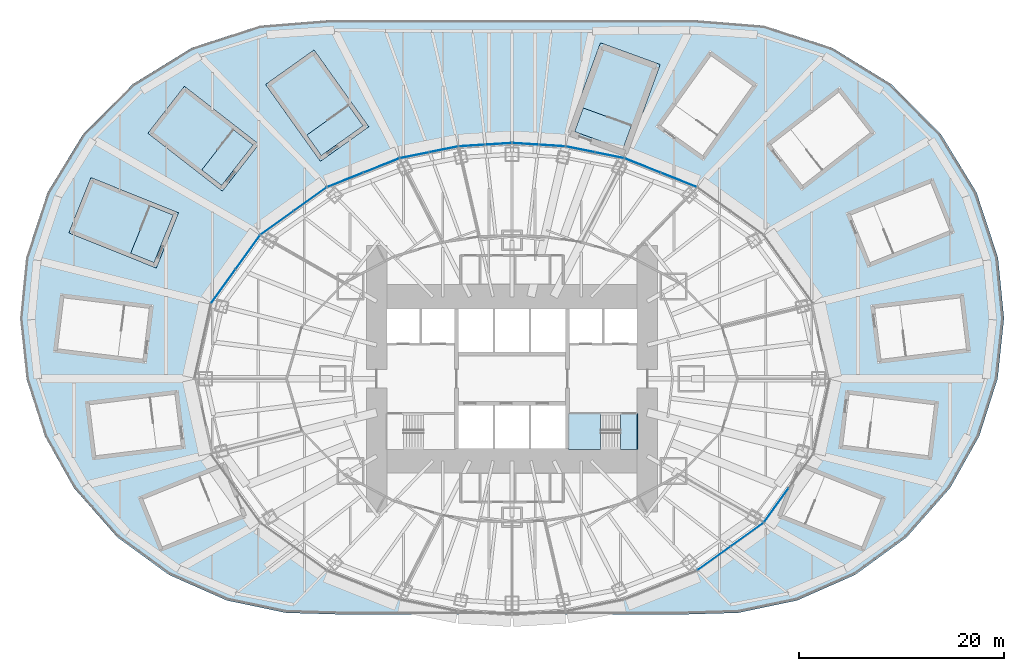
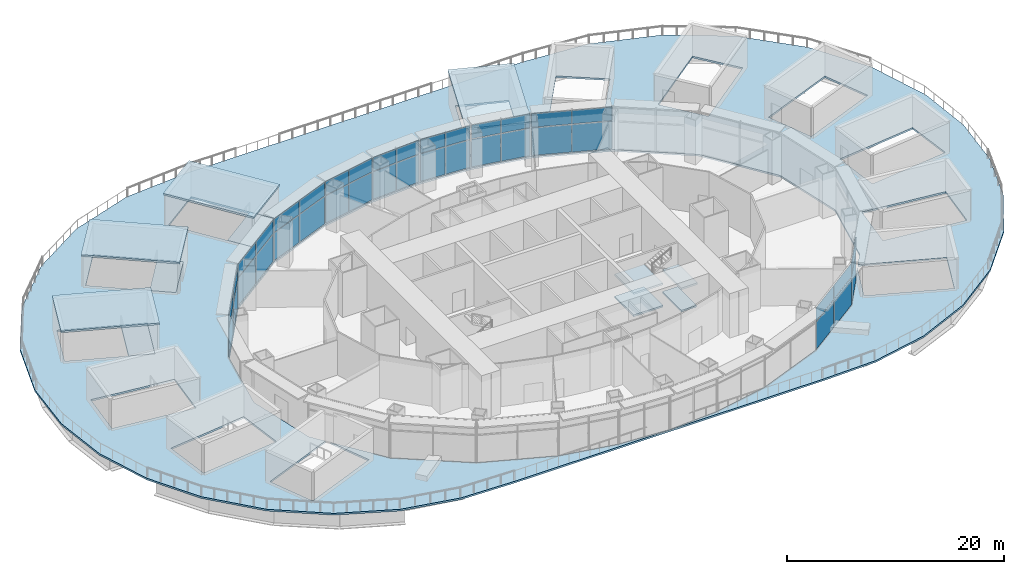
# One storey, part 14 of 25: 38 plates, 13 slabs, 11 elements without a shape of their own.
"""IFC4 building model written with IfcOpenShell, lengths in metres."""

from ifc_helpers import new_model, si_unit, direction, frame, origin, origin_2d, place, context, subcontext, project, spatial, polyline, rectangle, outline, extrude, material, layer, layer_set, type_object, element, aggregate, save


model = new_model("IFC4")

# Units and contexts
model_context = context("Model", 3, precision=1e-05, world=origin(), true_north=direction((0.0, 1.0)))
body_context = subcontext(model_context, "Body", "Model", "MODEL_VIEW")
ifc_project = project(units=[si_unit("LENGTHUNIT", "METRE"), si_unit("AREAUNIT", "SQUARE_METRE"), si_unit("VOLUMEUNIT", "CUBIC_METRE"), si_unit("PLANEANGLEUNIT", "RADIAN"), si_unit("MASSUNIT", "GRAM", prefix="KILO")], contexts=[model_context])

# Site, building, storey
site_placement = place(None, origin())
site = spatial("IfcSite", under=ifc_project, at=site_placement, CompositionType="ELEMENT")
building_placement = place(site_placement, origin())
building = spatial("IfcBuilding", under=site, at=building_placement, Name="Lantaw Convention Tower", CompositionType="ELEMENT")
storey_placement = place(building_placement, frame((0.0, 0.0, 32.0)))
storey = spatial("IfcBuildingStorey", under=building, at=storey_placement, Name="L05", CompositionType="ELEMENT", Elevation=32.0)

# Curtain wall, plates
ifc_material_1 = material(Name="Aluminium framed curtain wall", Category="aluminium")
curtain_wall_type = type_object("IfcCurtainWallType", Name="Sky lobby curtain wall L05, pale aluminium", PredefinedType="USERDEFINED", material=ifc_material_1)
curtain_wall_1_placement = place(storey_placement, origin())
curtain_wall_1 = element("IfcCurtainWall", 1, at=curtain_wall_1_placement, inside=storey, type_object=curtain_wall_type, Name="Sky lobby curtain wall L05, pale aluminium L05", ObjectType="STICK CURTAIN WALL", PredefinedType="USERDEFINED")
ifc_material_2 = material(Name="Clear insulating glass", Category="glass")
ifc_layer_1 = layer(ifc_material_2, 0.030029296875)
ifc_layer_set_1 = layer_set([ifc_layer_1], Name="CW-HL panel 30")
plate_type = type_object("IfcPlateType", Name="CW-HL panel 30", PredefinedType="CURTAIN_PANEL", material=ifc_layer_set_1)
plate_1_placement = place(storey_placement, frame((16.26416015625, 19.40771484375, 0.074951171875), z_axis=(0.0, 0.0, 1.0), x_axis=(-0.929361152748, 0.369171840425, 0.0)))
plate_1 = element("IfcPlate", 2, at=plate_1_placement, type_object=plate_type, Name="CW-HL panel 1.1", PredefinedType="CURTAIN_PANEL", context=body_context, shape_type="SweptSolid", body=[
    extrude(rectangle(XDim=3.70361328125, YDim=0.030029296875, at=origin_2d()), origin(), (0.0, 0.0, 1.0), 3.08740234375),
])
plate_2_placement = place(storey_placement, frame((16.26416015625, 19.40771484375, 3.237548828125), z_axis=(0.0, 0.0, 1.0), x_axis=(-0.929361152748, 0.369171840425, 0.0)))
plate_2 = element("IfcPlate", 3, at=plate_2_placement, type_object=plate_type, Name="CW-HL panel 1.2", PredefinedType="CURTAIN_PANEL", context=body_context, shape_type="SweptSolid", body=[
    extrude(rectangle(XDim=3.70361328125, YDim=0.030029296875, at=origin_2d()), origin(), (0.0, 0.0, 1.0), 1.53759765625),
])
plate_3_placement = place(storey_placement, frame((12.752685546875, 20.802734375, 0.074951171875), z_axis=(0.0, 0.0, 1.0), x_axis=(-0.929361152748, 0.369171840425, 0.0)))
plate_3 = element("IfcPlate", 4, at=plate_3_placement, type_object=plate_type, Name="CW-HL panel 2.1", PredefinedType="CURTAIN_PANEL", context=body_context, shape_type="SweptSolid", body=[
    extrude(rectangle(XDim=3.70361328125, YDim=0.030029296875, at=origin_2d()), origin(), (0.0, 0.0, 1.0), 3.08740234375),
])
plate_4_placement = place(storey_placement, frame((12.752685546875, 20.802734375, 3.237548828125), z_axis=(0.0, 0.0, 1.0), x_axis=(-0.929361152748, 0.369171840425, 0.0)))
plate_4 = element("IfcPlate", 5, at=plate_4_placement, type_object=plate_type, Name="CW-HL panel 2.2", PredefinedType="CURTAIN_PANEL", context=body_context, shape_type="SweptSolid", body=[
    extrude(rectangle(XDim=3.70361328125, YDim=0.030029296875, at=origin_2d()), origin(), (0.0, 0.0, 1.0), 1.53759765625),
])
aggregate(curtain_wall_1, [plate_1, plate_2, plate_3, plate_4])

curtain_wall_2_placement = place(storey_placement, origin())
curtain_wall_2 = element("IfcCurtainWall", 6, at=curtain_wall_2_placement, inside=storey, type_object=curtain_wall_type, Name="Sky lobby curtain wall L05, pale aluminium L05", ObjectType="STICK CURTAIN WALL", PredefinedType="USERDEFINED")
plate_5_placement = place(storey_placement, frame((9.511474609375, 21.806640625, 0.074951171875), z_axis=(0.0, 0.0, 1.0), x_axis=(-0.980244604501, 0.197789067813, 0.0)))
plate_5 = element("IfcPlate", 7, at=plate_5_placement, type_object=plate_type, Name="CW-HL panel 1.1", PredefinedType="CURTAIN_PANEL", context=body_context, shape_type="SweptSolid", body=[
    extrude(rectangle(XDim=2.809326171875, YDim=0.030029296875, at=origin_2d()), origin(), (0.0, 0.0, 1.0), 3.08740234375),
])
plate_6_placement = place(storey_placement, frame((9.511474609375, 21.806640625, 3.237548828125), z_axis=(0.0, 0.0, 1.0), x_axis=(-0.980244604501, 0.197789067813, 0.0)))
plate_6 = element("IfcPlate", 8, at=plate_6_placement, type_object=plate_type, Name="CW-HL panel 1.2", PredefinedType="CURTAIN_PANEL", context=body_context, shape_type="SweptSolid", body=[
    extrude(rectangle(XDim=2.809326171875, YDim=0.030029296875, at=origin_2d()), origin(), (0.0, 0.0, 1.0), 1.53759765625),
])
plate_7_placement = place(storey_placement, frame((6.68408203125, 22.377197265625, 0.074951171875), z_axis=(0.0, 0.0, 1.0), x_axis=(-0.980244604501, 0.197789067813, 0.0)))
plate_7 = element("IfcPlate", 9, at=plate_7_placement, type_object=plate_type, Name="CW-HL panel 2.1", PredefinedType="CURTAIN_PANEL", context=body_context, shape_type="SweptSolid", body=[
    extrude(rectangle(XDim=2.809326171875, YDim=0.030029296875, at=origin_2d()), origin(), (0.0, 0.0, 1.0), 3.08740234375),
])
plate_8_placement = place(storey_placement, frame((6.68408203125, 22.377197265625, 3.237548828125), z_axis=(0.0, 0.0, 1.0), x_axis=(-0.980244604501, 0.197789067813, 0.0)))
plate_8 = element("IfcPlate", 10, at=plate_8_placement, type_object=plate_type, Name="CW-HL panel 2.2", PredefinedType="CURTAIN_PANEL", context=body_context, shape_type="SweptSolid", body=[
    extrude(rectangle(XDim=2.809326171875, YDim=0.030029296875, at=origin_2d()), origin(), (0.0, 0.0, 1.0), 1.53759765625),
])
aggregate(curtain_wall_2, [plate_5, plate_6, plate_7, plate_8])

curtain_wall_3_placement = place(storey_placement, origin())
curtain_wall_3 = element("IfcCurtainWall", 11, at=curtain_wall_3_placement, inside=storey, type_object=curtain_wall_type, Name="Sky lobby curtain wall L05, pale aluminium L05", ObjectType="STICK CURTAIN WALL", PredefinedType="USERDEFINED")
plate_9_placement = place(storey_placement, frame((3.906494140625, 22.753662109375, 0.074951171875), z_axis=(0.0, 0.0, 1.0), x_axis=(-0.998016153807, 0.062958373078, 0.0)))
plate_9 = element("IfcPlate", 12, at=plate_9_placement, type_object=plate_type, Name="CW-HL panel 1.1", PredefinedType="CURTAIN_PANEL", context=body_context, shape_type="SweptSolid", body=[
    extrude(rectangle(XDim=2.509521484375, YDim=0.030029296875, at=origin_2d()), origin(), (0.0, 0.0, 1.0), 3.08740234375),
])
plate_10_placement = place(storey_placement, frame((3.906494140625, 22.753662109375, 3.237548828125), z_axis=(0.0, 0.0, 1.0), x_axis=(-0.998016153807, 0.062958373078, 0.0)))
plate_10 = element("IfcPlate", 13, at=plate_10_placement, type_object=plate_type, Name="CW-HL panel 1.2", PredefinedType="CURTAIN_PANEL", context=body_context, shape_type="SweptSolid", body=[
    extrude(rectangle(XDim=2.509521484375, YDim=0.030029296875, at=origin_2d()), origin(), (0.0, 0.0, 1.0), 1.53759765625),
])
plate_11_placement = place(storey_placement, frame((1.3271484375, 22.916259765625, 0.074951171875), z_axis=(0.0, 0.0, 1.0), x_axis=(-0.998016153807, 0.062958373078, 0.0)))
plate_11 = element("IfcPlate", 14, at=plate_11_placement, type_object=plate_type, Name="CW-HL panel 2.1", PredefinedType="CURTAIN_PANEL", context=body_context, shape_type="SweptSolid", body=[
    extrude(rectangle(XDim=2.509521484375, YDim=0.030029296875, at=origin_2d()), origin(), (0.0, 0.0, 1.0), 3.08740234375),
])
plate_12_placement = place(storey_placement, frame((1.3271484375, 22.916259765625, 3.237548828125), z_axis=(0.0, 0.0, 1.0), x_axis=(-0.998016153807, 0.062958373078, 0.0)))
plate_12 = element("IfcPlate", 15, at=plate_12_placement, type_object=plate_type, Name="CW-HL panel 2.2", PredefinedType="CURTAIN_PANEL", context=body_context, shape_type="SweptSolid", body=[
    extrude(rectangle(XDim=2.509521484375, YDim=0.030029296875, at=origin_2d()), origin(), (0.0, 0.0, 1.0), 1.53759765625),
])
aggregate(curtain_wall_3, [plate_9, plate_10, plate_11, plate_12])

curtain_wall_4_placement = place(storey_placement, origin())
curtain_wall_4 = element("IfcCurtainWall", 16, at=curtain_wall_4_placement, inside=storey, type_object=curtain_wall_type, Name="Sky lobby curtain wall L05, pale aluminium L05", ObjectType="STICK CURTAIN WALL", PredefinedType="USERDEFINED")
plate_13_placement = place(storey_placement, frame((-1.3271484375, 22.916259765625, 0.074951171875), z_axis=(0.0, 0.0, 1.0), x_axis=(-0.998016153807, -0.062958373078, 0.0)))
plate_13 = element("IfcPlate", 17, at=plate_13_placement, type_object=plate_type, Name="CW-HL panel 1.1", PredefinedType="CURTAIN_PANEL", context=body_context, shape_type="SweptSolid", body=[
    extrude(rectangle(XDim=2.509521484375, YDim=0.030029296875, at=origin_2d()), origin(), (0.0, 0.0, 1.0), 3.08740234375),
])
plate_14_placement = place(storey_placement, frame((-1.3271484375, 22.916259765625, 3.237548828125), z_axis=(0.0, 0.0, 1.0), x_axis=(-0.998016153807, -0.062958373078, 0.0)))
plate_14 = element("IfcPlate", 18, at=plate_14_placement, type_object=plate_type, Name="CW-HL panel 1.2", PredefinedType="CURTAIN_PANEL", context=body_context, shape_type="SweptSolid", body=[
    extrude(rectangle(XDim=2.509521484375, YDim=0.030029296875, at=origin_2d()), origin(), (0.0, 0.0, 1.0), 1.53759765625),
])
plate_15_placement = place(storey_placement, frame((-3.906494140625, 22.753662109375, 0.074951171875), z_axis=(0.0, 0.0, 1.0), x_axis=(-0.998016153807, -0.062958373078, 0.0)))
plate_15 = element("IfcPlate", 19, at=plate_15_placement, type_object=plate_type, Name="CW-HL panel 2.1", PredefinedType="CURTAIN_PANEL", context=body_context, shape_type="SweptSolid", body=[
    extrude(rectangle(XDim=2.509521484375, YDim=0.030029296875, at=origin_2d()), origin(), (0.0, 0.0, 1.0), 3.08740234375),
])
plate_16_placement = place(storey_placement, frame((-3.906494140625, 22.753662109375, 3.237548828125), z_axis=(0.0, 0.0, 1.0), x_axis=(-0.998016153807, -0.062958373078, 0.0)))
plate_16 = element("IfcPlate", 20, at=plate_16_placement, type_object=plate_type, Name="CW-HL panel 2.2", PredefinedType="CURTAIN_PANEL", context=body_context, shape_type="SweptSolid", body=[
    extrude(rectangle(XDim=2.509521484375, YDim=0.030029296875, at=origin_2d()), origin(), (0.0, 0.0, 1.0), 1.53759765625),
])
aggregate(curtain_wall_4, [plate_13, plate_14, plate_15, plate_16])

curtain_wall_5_placement = place(storey_placement, origin())
curtain_wall_5 = element("IfcCurtainWall", 21, at=curtain_wall_5_placement, inside=storey, type_object=curtain_wall_type, Name="Sky lobby curtain wall L05, pale aluminium L05", ObjectType="STICK CURTAIN WALL", PredefinedType="USERDEFINED")
plate_17_placement = place(storey_placement, frame((-6.68408203125, 22.377197265625, 0.074951171875), z_axis=(0.0, 0.0, 1.0), x_axis=(-0.980244604501, -0.197789067813, 0.0)))
plate_17 = element("IfcPlate", 22, at=plate_17_placement, type_object=plate_type, Name="CW-HL panel 1.1", PredefinedType="CURTAIN_PANEL", context=body_context, shape_type="SweptSolid", body=[
    extrude(rectangle(XDim=2.809326171875, YDim=0.030029296875, at=origin_2d()), origin(), (0.0, 0.0, 1.0), 3.08740234375),
])
plate_18_placement = place(storey_placement, frame((-6.68408203125, 22.377197265625, 3.237548828125), z_axis=(0.0, 0.0, 1.0), x_axis=(-0.980244604501, -0.197789067813, 0.0)))
plate_18 = element("IfcPlate", 23, at=plate_18_placement, type_object=plate_type, Name="CW-HL panel 1.2", PredefinedType="CURTAIN_PANEL", context=body_context, shape_type="SweptSolid", body=[
    extrude(rectangle(XDim=2.809326171875, YDim=0.030029296875, at=origin_2d()), origin(), (0.0, 0.0, 1.0), 1.53759765625),
])
plate_19_placement = place(storey_placement, frame((-9.511474609375, 21.806640625, 0.074951171875), z_axis=(0.0, 0.0, 1.0), x_axis=(-0.980244604501, -0.197789067813, 0.0)))
plate_19 = element("IfcPlate", 24, at=plate_19_placement, type_object=plate_type, Name="CW-HL panel 2.1", PredefinedType="CURTAIN_PANEL", context=body_context, shape_type="SweptSolid", body=[
    extrude(rectangle(XDim=2.809326171875, YDim=0.030029296875, at=origin_2d()), origin(), (0.0, 0.0, 1.0), 3.08740234375),
])
plate_20_placement = place(storey_placement, frame((-9.511474609375, 21.806640625, 3.237548828125), z_axis=(0.0, 0.0, 1.0), x_axis=(-0.980244604501, -0.197789067813, 0.0)))
plate_20 = element("IfcPlate", 25, at=plate_20_placement, type_object=plate_type, Name="CW-HL panel 2.2", PredefinedType="CURTAIN_PANEL", context=body_context, shape_type="SweptSolid", body=[
    extrude(rectangle(XDim=2.809326171875, YDim=0.030029296875, at=origin_2d()), origin(), (0.0, 0.0, 1.0), 1.53759765625),
])
aggregate(curtain_wall_5, [plate_17, plate_18, plate_19, plate_20])

curtain_wall_6_placement = place(storey_placement, origin())
curtain_wall_6 = element("IfcCurtainWall", 26, at=curtain_wall_6_placement, inside=storey, type_object=curtain_wall_type, Name="Sky lobby curtain wall L05, pale aluminium L05", ObjectType="STICK CURTAIN WALL", PredefinedType="USERDEFINED")
plate_21_placement = place(storey_placement, frame((-12.752685546875, 20.802734375, 0.074951171875), z_axis=(0.0, 0.0, 1.0), x_axis=(-0.929361152748, -0.369171840425, 0.0)))
plate_21 = element("IfcPlate", 27, at=plate_21_placement, type_object=plate_type, Name="CW-HL panel 1.1", PredefinedType="CURTAIN_PANEL", context=body_context, shape_type="SweptSolid", body=[
    extrude(rectangle(XDim=3.70361328125, YDim=0.030029296875, at=origin_2d()), origin(), (0.0, 0.0, 1.0), 3.08740234375),
])
plate_22_placement = place(storey_placement, frame((-12.752685546875, 20.802734375, 3.237548828125), z_axis=(0.0, 0.0, 1.0), x_axis=(-0.929361152748, -0.369171840425, 0.0)))
plate_22 = element("IfcPlate", 28, at=plate_22_placement, type_object=plate_type, Name="CW-HL panel 1.2", PredefinedType="CURTAIN_PANEL", context=body_context, shape_type="SweptSolid", body=[
    extrude(rectangle(XDim=3.70361328125, YDim=0.030029296875, at=origin_2d()), origin(), (0.0, 0.0, 1.0), 1.53759765625),
])
plate_23_placement = place(storey_placement, frame((-16.26416015625, 19.40771484375, 0.074951171875), z_axis=(0.0, 0.0, 1.0), x_axis=(-0.929361152748, -0.369171840425, 0.0)))
plate_23 = element("IfcPlate", 29, at=plate_23_placement, type_object=plate_type, Name="CW-HL panel 2.1", PredefinedType="CURTAIN_PANEL", context=body_context, shape_type="SweptSolid", body=[
    extrude(rectangle(XDim=3.70361328125, YDim=0.030029296875, at=origin_2d()), origin(), (0.0, 0.0, 1.0), 3.08740234375),
])
plate_24_placement = place(storey_placement, frame((-16.26416015625, 19.40771484375, 3.237548828125), z_axis=(0.0, 0.0, 1.0), x_axis=(-0.929361152748, -0.369171840425, 0.0)))
plate_24 = element("IfcPlate", 30, at=plate_24_placement, type_object=plate_type, Name="CW-HL panel 2.2", PredefinedType="CURTAIN_PANEL", context=body_context, shape_type="SweptSolid", body=[
    extrude(rectangle(XDim=3.70361328125, YDim=0.030029296875, at=origin_2d()), origin(), (0.0, 0.0, 1.0), 1.53759765625),
])
aggregate(curtain_wall_6, [plate_21, plate_22, plate_23, plate_24])

curtain_wall_7_placement = place(storey_placement, origin())
curtain_wall_7 = element("IfcCurtainWall", 31, at=curtain_wall_7_placement, inside=storey, type_object=curtain_wall_type, Name="Sky lobby curtain wall L05, pale aluminium L05", ObjectType="STICK CURTAIN WALL", PredefinedType="USERDEFINED")
plate_25_placement = place(storey_placement, frame((-19.696533203125, 17.52001953125, 0.074951171875), z_axis=(0.0, 0.0, 1.0), x_axis=(-0.812803733199, -0.5825376308, 0.0)))
plate_25 = element("IfcPlate", 32, at=plate_25_placement, type_object=plate_type, Name="CW-HL panel 1.1", PredefinedType="CURTAIN_PANEL", context=body_context, shape_type="SweptSolid", body=[
    extrude(rectangle(XDim=3.88916015625, YDim=0.030029296875, at=origin_2d()), origin(), (0.0, 0.0, 1.0), 3.08740234375),
])
plate_26_placement = place(storey_placement, frame((-19.696533203125, 17.52001953125, 3.237548828125), z_axis=(0.0, 0.0, 1.0), x_axis=(-0.812803733199, -0.5825376308, 0.0)))
plate_26 = element("IfcPlate", 33, at=plate_26_placement, type_object=plate_type, Name="CW-HL panel 1.2", PredefinedType="CURTAIN_PANEL", context=body_context, shape_type="SweptSolid", body=[
    extrude(rectangle(XDim=3.88916015625, YDim=0.030029296875, at=origin_2d()), origin(), (0.0, 0.0, 1.0), 1.53759765625),
])
plate_27_placement = place(storey_placement, frame((-22.91845703125, 15.210693359375, 0.074951171875), z_axis=(0.0, 0.0, 1.0), x_axis=(-0.812803733199, -0.5825376308, 0.0)))
plate_27 = element("IfcPlate", 34, at=plate_27_placement, type_object=plate_type, Name="CW-HL panel 2.1", PredefinedType="CURTAIN_PANEL", context=body_context, shape_type="SweptSolid", body=[
    extrude(rectangle(XDim=3.88916015625, YDim=0.030029296875, at=origin_2d()), origin(), (0.0, 0.0, 1.0), 3.08740234375),
])
plate_28_placement = place(storey_placement, frame((-22.91845703125, 15.210693359375, 3.237548828125), z_axis=(0.0, 0.0, 1.0), x_axis=(-0.812803733199, -0.5825376308, 0.0)))
plate_28 = element("IfcPlate", 35, at=plate_28_placement, type_object=plate_type, Name="CW-HL panel 2.2", PredefinedType="CURTAIN_PANEL", context=body_context, shape_type="SweptSolid", body=[
    extrude(rectangle(XDim=3.88916015625, YDim=0.030029296875, at=origin_2d()), origin(), (0.0, 0.0, 1.0), 1.53759765625),
])
aggregate(curtain_wall_7, [plate_25, plate_26, plate_27, plate_28])

curtain_wall_8_placement = place(storey_placement, origin())
curtain_wall_8 = element("IfcCurtainWall", 36, at=curtain_wall_8_placement, inside=storey, type_object=curtain_wall_type, Name="Sky lobby curtain wall L05, pale aluminium L05", ObjectType="STICK CURTAIN WALL", PredefinedType="USERDEFINED")
plate_29_placement = place(storey_placement, frame((-25.77734375, 12.342041015625, 0.074951171875), z_axis=(0.0, 0.0, 1.0), x_axis=(-0.583951250436, -0.811788726895, 0.0)))
plate_29 = element("IfcPlate", 37, at=plate_29_placement, type_object=plate_type, Name="CW-HL panel 1.1", PredefinedType="CURTAIN_PANEL", context=body_context, shape_type="SweptSolid", body=[
    extrude(rectangle(XDim=4.01904296875, YDim=0.030029296875, at=origin_2d()), origin(), (0.0, 0.0, 1.0), 3.08740234375),
])
plate_30_placement = place(storey_placement, frame((-25.77734375, 12.342041015625, 3.237548828125), z_axis=(0.0, 0.0, 1.0), x_axis=(-0.583951250436, -0.811788726895, 0.0)))
plate_30 = element("IfcPlate", 38, at=plate_30_placement, type_object=plate_type, Name="CW-HL panel 1.2", PredefinedType="CURTAIN_PANEL", context=body_context, shape_type="SweptSolid", body=[
    extrude(rectangle(XDim=4.01904296875, YDim=0.030029296875, at=origin_2d()), origin(), (0.0, 0.0, 1.0), 1.53759765625),
])
plate_31_placement = place(storey_placement, frame((-28.16796875, 9.018798828125, 0.074951171875), z_axis=(0.0, 0.0, 1.0), x_axis=(-0.583951250436, -0.811788726895, 0.0)))
plate_31 = element("IfcPlate", 39, at=plate_31_placement, type_object=plate_type, Name="CW-HL panel 2.1", PredefinedType="CURTAIN_PANEL", context=body_context, shape_type="SweptSolid", body=[
    extrude(rectangle(XDim=4.01904296875, YDim=0.030029296875, at=origin_2d()), origin(), (0.0, 0.0, 1.0), 3.08740234375),
])
plate_32_placement = place(storey_placement, frame((-28.16796875, 9.018798828125, 3.237548828125), z_axis=(0.0, 0.0, 1.0), x_axis=(-0.583951250436, -0.811788726895, 0.0)))
plate_32 = element("IfcPlate", 40, at=plate_32_placement, type_object=plate_type, Name="CW-HL panel 2.2", PredefinedType="CURTAIN_PANEL", context=body_context, shape_type="SweptSolid", body=[
    extrude(rectangle(XDim=4.01904296875, YDim=0.030029296875, at=origin_2d()), origin(), (0.0, 0.0, 1.0), 1.53759765625),
])
aggregate(curtain_wall_8, [plate_29, plate_30, plate_31, plate_32])

curtain_wall_9_placement = place(storey_placement, origin())
curtain_wall_9 = element("IfcCurtainWall", 41, at=curtain_wall_9_placement, inside=storey, type_object=curtain_wall_type, Name="Sky lobby curtain wall L05, pale aluminium L05", ObjectType="STICK CURTAIN WALL", PredefinedType="USERDEFINED")
plate_33_placement = place(storey_placement, frame((19.696533203125, -17.52001953125, 0.074951171875), z_axis=(0.0, 0.0, 1.0), x_axis=(0.812803733199, 0.5825376308, 0.0)))
plate_33 = element("IfcPlate", 42, at=plate_33_placement, type_object=plate_type, Name="CW-HL panel 1.1", PredefinedType="CURTAIN_PANEL", context=body_context, shape_type="SweptSolid", body=[
    extrude(rectangle(XDim=3.88916015625, YDim=0.030029296875, at=origin_2d()), origin(), (0.0, 0.0, 1.0), 3.08740234375),
])
plate_34_placement = place(storey_placement, frame((19.696533203125, -17.52001953125, 3.237548828125), z_axis=(0.0, 0.0, 1.0), x_axis=(0.812803733199, 0.5825376308, 0.0)))
plate_34 = element("IfcPlate", 43, at=plate_34_placement, type_object=plate_type, Name="CW-HL panel 1.2", PredefinedType="CURTAIN_PANEL", context=body_context, shape_type="SweptSolid", body=[
    extrude(rectangle(XDim=3.88916015625, YDim=0.030029296875, at=origin_2d()), origin(), (0.0, 0.0, 1.0), 1.53759765625),
])
plate_35_placement = place(storey_placement, frame((22.91845703125, -15.210693359375, 0.074951171875), z_axis=(0.0, 0.0, 1.0), x_axis=(0.812803733199, 0.5825376308, 0.0)))
plate_35 = element("IfcPlate", 44, at=plate_35_placement, type_object=plate_type, Name="CW-HL panel 2.1", PredefinedType="CURTAIN_PANEL", context=body_context, shape_type="SweptSolid", body=[
    extrude(rectangle(XDim=3.88916015625, YDim=0.030029296875, at=origin_2d()), origin(), (0.0, 0.0, 1.0), 3.08740234375),
])
plate_36_placement = place(storey_placement, frame((22.91845703125, -15.210693359375, 3.237548828125), z_axis=(0.0, 0.0, 1.0), x_axis=(0.812803733199, 0.5825376308, 0.0)))
plate_36 = element("IfcPlate", 45, at=plate_36_placement, type_object=plate_type, Name="CW-HL panel 2.2", PredefinedType="CURTAIN_PANEL", context=body_context, shape_type="SweptSolid", body=[
    extrude(rectangle(XDim=3.88916015625, YDim=0.030029296875, at=origin_2d()), origin(), (0.0, 0.0, 1.0), 1.53759765625),
])
aggregate(curtain_wall_9, [plate_33, plate_34, plate_35, plate_36])

curtain_wall_10_placement = place(storey_placement, origin())
curtain_wall_10 = element("IfcCurtainWall", 46, at=curtain_wall_10_placement, inside=storey, type_object=curtain_wall_type, Name="Sky lobby curtain wall L05, pale aluminium L05", ObjectType="STICK CURTAIN WALL", PredefinedType="USERDEFINED")
plate_37_placement = place(storey_placement, frame((25.77734375, -12.342041015625, 0.074951171875), z_axis=(0.0, 0.0, 1.0), x_axis=(0.583951250436, 0.811788726895, 0.0)))
plate_37 = element("IfcPlate", 47, at=plate_37_placement, type_object=plate_type, Name="CW-HL panel 1.1", PredefinedType="CURTAIN_PANEL", context=body_context, shape_type="SweptSolid", body=[
    extrude(rectangle(XDim=4.01904296875, YDim=0.030029296875, at=origin_2d()), origin(), (0.0, 0.0, 1.0), 3.08740234375),
])
plate_38_placement = place(storey_placement, frame((25.77734375, -12.342041015625, 3.237548828125), z_axis=(0.0, 0.0, 1.0), x_axis=(0.583951250436, 0.811788726895, 0.0)))
plate_38 = element("IfcPlate", 48, at=plate_38_placement, type_object=plate_type, Name="CW-HL panel 1.2", PredefinedType="CURTAIN_PANEL", context=body_context, shape_type="SweptSolid", body=[
    extrude(rectangle(XDim=4.01904296875, YDim=0.030029296875, at=origin_2d()), origin(), (0.0, 0.0, 1.0), 1.53759765625),
])
aggregate(curtain_wall_10, [plate_37, plate_38])

# Slabs
ifc_material_3 = material(Name="Concrete C35/45", Category="concrete")
ifc_layer_2 = layer(ifc_material_3, 0.199951171875)
ifc_layer_set_2 = layer_set([ifc_layer_2], Name="Roof slab 200")
slab_type_1 = type_object("IfcSlabType", Name="Roof slab 200", PredefinedType="ROOF", material=ifc_layer_set_2)
slab_1_placement = place(storey_placement, frame((0.0, 0.0, 3.5)))
element("IfcSlab", 49, at=slab_1_placement, inside=storey, type_object=slab_type_1, Name="Stair head-house roof", PredefinedType="ROOF", context=body_context, shape_type="SweptSolid", body=[
    extrude(outline(polyline([(11.171630859375, 21.6298828125), (14.454833984375, 30.65087890625), (8.62890625, 32.771240234375), (5.345458984375, 23.750244140625), (11.171630859375, 21.6298828125)])), origin(), (0.0, 0.0, 1.0), 0.199951171875),
])
slab_2_placement = place(storey_placement, frame((0.0, 0.0, 3.5)))
element("IfcSlab", 50, at=slab_2_placement, inside=storey, type_object=slab_type_1, Name="Stair head-house roof", PredefinedType="ROOF", context=body_context, shape_type="SweptSolid", body=[
    extrude(outline(polyline([(-13.971923828125, 24.58203125), (-19.314453125, 32.07177734375), (-24.036376953125, 28.70361328125), (-18.69384765625, 21.2138671875), (-13.971923828125, 24.58203125)])), origin(), (0.0, 0.0, 1.0), 0.199951171875),
])
slab_3_placement = place(storey_placement, frame((0.0, 0.0, 3.5)))
element("IfcSlab", 51, at=slab_3_placement, inside=storey, type_object=slab_type_1, Name="Stair head-house roof", PredefinedType="ROOF", context=body_context, shape_type="SweptSolid", body=[
    extrude(outline(polyline([(-24.697021484375, 22.880859375), (-31.959228515625, 28.52880859375), (-35.52001953125, 23.950439453125), (-28.257568359375, 18.302490234375), (-24.697021484375, 22.880859375)])), origin(), (0.0, 0.0, 1.0), 0.199951171875),
])
slab_4_placement = place(storey_placement, frame((0.0, 0.0, 3.5)))
element("IfcSlab", 52, at=slab_4_placement, inside=storey, type_object=slab_type_1, Name="Stair head-house roof", PredefinedType="ROOF", context=body_context, shape_type="SweptSolid", body=[
    extrude(outline(polyline([(-32.5400390625, 16.187744140625), (-41.07763671875, 19.615234375), (-43.238525390625, 14.232666015625), (-34.70068359375, 10.80517578125), (-32.5400390625, 16.187744140625)])), origin(), (0.0, 0.0, 1.0), 0.199951171875),
])

# Stair, slabs
stair_type = type_object("IfcStairType", Name="Exit stair 1500 riser 156.25 in 4 flights", PredefinedType="HALF_TURN_STAIR", material=ifc_material_3)
stair_placement = place(storey_placement, origin())
stair = element("IfcStair", 53, at=stair_placement, inside=storey, type_object=stair_type, Name="Exit stair S2 L05", PredefinedType="HALF_TURN_STAIR")
ifc_layer_3 = layer(ifc_material_3, 0.199951171875)
ifc_layer_set_3 = layer_set([ifc_layer_3], Name="Stair landing 200")
slab_type_2 = type_object("IfcSlabType", Name="Stair landing 200", PredefinedType="LANDING", material=ifc_layer_set_3)
slab_5_placement = place(storey_placement, frame((0.0, 0.0, -0.199951171875)))
slab_5 = element("IfcSlab", 54, at=slab_5_placement, type_object=slab_type_2, Name="S2 landing 1", PredefinedType="LANDING", context=body_context, shape_type="SweptSolid", body=[
    extrude(outline(polyline([(10.580078125, -6.89990234375), (12.199951171875, -6.89990234375), (12.199951171875, -3.39990234375), (10.580078125, -3.39990234375), (10.580078125, -6.89990234375)])), origin(), (0.0, 0.0, 1.0), 0.199951171875),
])
slab_6_placement = place(storey_placement, frame((0.0, 0.0, 1.050048828125)))
slab_6 = element("IfcSlab", 55, at=slab_6_placement, type_object=slab_type_2, Name="S2 landing 2", PredefinedType="LANDING", context=body_context, shape_type="SweptSolid", body=[
    extrude(outline(polyline([(5.5, -6.89990234375), (8.6201171875, -6.89990234375), (8.6201171875, -3.39990234375), (5.5, -3.39990234375), (5.5, -6.89990234375)])), origin(), (0.0, 0.0, 1.0), 0.199951171875),
])
slab_7_placement = place(storey_placement, frame((0.0, 0.0, 2.300048828125)))
slab_7 = element("IfcSlab", 56, at=slab_7_placement, type_object=slab_type_2, Name="S2 landing 3", PredefinedType="LANDING", context=body_context, shape_type="SweptSolid", body=[
    extrude(outline(polyline([(10.580078125, -6.89990234375), (12.300048828125, -6.89990234375), (12.300048828125, -3.39990234375), (10.580078125, -3.39990234375), (10.580078125, -6.89990234375)])), origin(), (0.0, 0.0, 1.0), 0.199951171875),
])
slab_8_placement = place(storey_placement, frame((0.0, 0.0, 3.550048828125)))
slab_8 = element("IfcSlab", 57, at=slab_8_placement, type_object=slab_type_2, Name="S2 landing 4", PredefinedType="LANDING", context=body_context, shape_type="SweptSolid", body=[
    extrude(outline(polyline([(5.5, -6.89990234375), (8.6201171875, -6.89990234375), (8.6201171875, -3.39990234375), (5.5, -3.39990234375), (5.5, -6.89990234375)])), origin(), (0.0, 0.0, 1.0), 0.199951171875),
])
aggregate(stair, [slab_5, slab_6, slab_7, slab_8])

# Slabs
slab_9_placement = place(storey_placement, frame((0.0, 0.0, -0.199951171875)))
element("IfcSlab", 58, at=slab_9_placement, inside=storey, type_object=slab_type_2, Name="Podium exit stair P5 top landing", PredefinedType="LANDING", context=body_context, shape_type="SweptSolid", body=[
    extrude(outline(polyline([(10.81298828125, 22.398681640625), (11.651611328125, 24.702880859375), (6.953125, 26.4130859375), (6.114501953125, 24.10888671875), (10.81298828125, 22.398681640625)])), origin(), (0.0, 0.0, 1.0), 0.199951171875),
])
slab_10_placement = place(storey_placement, frame((0.0, 0.0, -0.199951171875)))
element("IfcSlab", 59, at=slab_10_placement, inside=storey, type_object=slab_type_2, Name="Podium exit stair P6 top landing", PredefinedType="LANDING", context=body_context, shape_type="SweptSolid", body=[
    extrude(outline(polyline([(-14.52978515625, 24.67529296875), (-15.953857421875, 26.67138671875), (-20.0244140625, 23.76806640625), (-18.6005859375, 21.771728515625), (-14.52978515625, 24.67529296875)])), origin(), (0.0, 0.0, 1.0), 0.199951171875),
])
slab_11_placement = place(storey_placement, frame((0.0, 0.0, -0.199951171875)))
element("IfcSlab", 60, at=slab_11_placement, inside=storey, type_object=slab_type_2, Name="Podium exit stair P7 top landing", PredefinedType="LANDING", context=body_context, shape_type="SweptSolid", body=[
    extrude(outline(polyline([(-25.25830078125, 22.810546875), (-27.19384765625, 24.31591796875), (-30.263427734375, 20.369140625), (-28.327880859375, 18.86376953125), (-25.25830078125, 22.810546875)])), origin(), (0.0, 0.0, 1.0), 0.199951171875),
])
slab_12_placement = place(storey_placement, frame((0.0, 0.0, -0.199951171875)))
element("IfcSlab", 61, at=slab_12_placement, inside=storey, type_object=slab_type_2, Name="Podium exit stair P8 top landing", PredefinedType="LANDING", context=body_context, shape_type="SweptSolid", body=[
    extrude(outline(polyline([(-33.06005859375, 15.965576171875), (-35.335693359375, 16.879150390625), (-37.198486328125, 12.239013671875), (-34.9228515625, 11.325439453125), (-33.06005859375, 15.965576171875)])), origin(), (0.0, 0.0, 1.0), 0.199951171875),
])
ifc_layer_4 = layer(ifc_material_3, 0.199951171875)
ifc_layer_set_4 = layer_set([ifc_layer_4], Name="Terrace slab 200")
slab_type_3 = type_object("IfcSlabType", Name="Terrace slab 200", PredefinedType="ROOF", material=ifc_layer_set_4)
slab_13_placement = place(storey_placement, frame((0.0, 0.0, -0.199951171875)))
element("IfcSlab", 62, at=slab_13_placement, inside=storey, type_object=slab_type_3, Name="L05 podium roof terrace", PredefinedType="ROOF", context=body_context, shape_type="SweptSolid", body=[
    extrude(outline(polyline([(38.50732421875, -15.458251953125), (42.73974609375, -10.65625), (45.580322265625, -5.5966796875), (47.37255859375, 0.0), (47.999755859375, 5.8935546875), (47.409912109375, 11.820556640625), (45.313232421875, 18.190673828125), (41.819091796875, 23.896728515625), (36.97607421875, 28.756591796875), (31.2001953125, 32.308837890625), (24.578857421875, 34.458251953125), (17.83349609375, 35.0), (-17.83349609375, 35.0), (-24.578857421875, 34.458251953125), (-31.2001953125, 32.308837890625), (-36.97607421875, 28.756591796875), (-41.819091796875, 23.896728515625), (-45.313232421875, 18.190673828125), (-47.409912109375, 11.820556640625), (-47.999755859375, 5.8935546875), (-47.37255859375, 0.0), (-45.580322265625, -5.5966796875), (-42.73974609375, -10.65625), (-38.50732421875, -15.45849609375), (-33.4755859375, -19.12890625), (-27.811279296875, -21.62890625), (-22.054931640625, -22.838623046875), (-16.40576171875, -23.0), (16.40576171875, -23.0), (22.054931640625, -22.838623046875), (27.811279296875, -21.62890625), (33.4755859375, -19.12890625), (38.50732421875, -15.458251953125)]), holes=[polyline([(43.724853515625, 7.887451171875), (35.387451171875, 6.86376953125), (35.996826171875, 1.901123046875), (44.334228515625, 2.9248046875), (43.724853515625, 7.887451171875)]), polyline([(40.85546875, 19.094970703125), (33.06005859375, 15.965576171875), (34.9228515625, 11.325439453125), (42.71826171875, 14.454833984375), (40.85546875, 19.094970703125)]), polyline([(41.22021484375, -2.54248046875), (32.8828125, -1.518798828125), (32.2734375, -6.4814453125), (40.61083984375, -7.505126953125), (41.22021484375, -2.54248046875)]), polyline([(18.018798828125, 18.630126953125), (10.9404296875, 21.44189453125), (5.223876953125, 22.59521484375), (0.0, 22.9248046875), (-5.223876953125, 22.59521484375), (-10.9404296875, 21.44189453125), (-18.018798828125, 18.630126953125), (-24.50634765625, 13.98046875), (-29.315185546875, 7.29541015625), (-30.923095703125, 0.0), (-29.315185546875, -7.29541015625), (-28.322265625, -8.67578125), (-36.005126953125, -11.760009765625), (-34.142333984375, -16.400146484375), (-26.346923828125, -13.270751953125), (-28.026611328125, -9.086669921875), (-24.50634765625, -13.98046875), (-18.018798828125, -18.630126953125), (-10.9404296875, -21.44189453125), (-5.223876953125, -22.59521484375), (0.0, -22.9248046875), (5.223876953125, -22.59521484375), (10.9404296875, -21.44189453125), (18.018798828125, -18.630126953125), (24.50634765625, -13.98046875), (28.02685546875, -9.08642578125), (26.34716796875, -13.270751953125), (34.142333984375, -16.39990234375), (36.005126953125, -11.760009765625), (28.322265625, -8.67578125), (29.315185546875, -7.29541015625), (30.923095703125, 0.0), (29.315185546875, 7.29541015625), (24.50634765625, 13.98046875), (18.018798828125, 18.630126953125)]), polyline([(31.88916015625, 27.967529296875), (25.25830078125, 22.810546875), (28.327880859375, 18.86376953125), (34.95849609375, 24.0205078125), (31.88916015625, 27.967529296875)]), polyline([(19.40771484375, 31.513916015625), (14.52978515625, 24.67529296875), (18.6005859375, 21.771728515625), (23.478271484375, 28.6103515625), (19.40771484375, 31.513916015625)]), polyline([(6.114501953125, 24.10888671875), (10.81298828125, 22.398681640625), (13.685791015625, 30.292236328125), (8.987548828125, 32.002197265625), (6.114501953125, 24.10888671875)]), polyline([(-23.478271484375, 28.6103515625), (-18.6005859375, 21.771728515625), (-14.52978515625, 24.67529296875), (-19.40771484375, 31.513916015625), (-23.478271484375, 28.6103515625)]), polyline([(-34.95849609375, 24.0205078125), (-28.327880859375, 18.86376953125), (-25.25830078125, 22.810546875), (-31.88916015625, 27.967529296875), (-34.95849609375, 24.0205078125)]), polyline([(-40.61083984375, -7.505126953125), (-32.2734375, -6.4814453125), (-32.8828125, -1.518798828125), (-41.22021484375, -2.54248046875), (-40.61083984375, -7.505126953125)]), polyline([(-34.9228515625, 11.325439453125), (-33.06005859375, 15.965576171875), (-40.85546875, 19.094970703125), (-42.71826171875, 14.454833984375), (-34.9228515625, 11.325439453125)]), polyline([(-44.334228515625, 2.9248046875), (-35.996826171875, 1.901123046875), (-35.387451171875, 6.86376953125), (-43.724853515625, 7.887451171875), (-44.334228515625, 2.9248046875)])]), origin(), (0.0, 0.0, 1.0), 0.199951171875),
])

save(model, "model.ifc")
